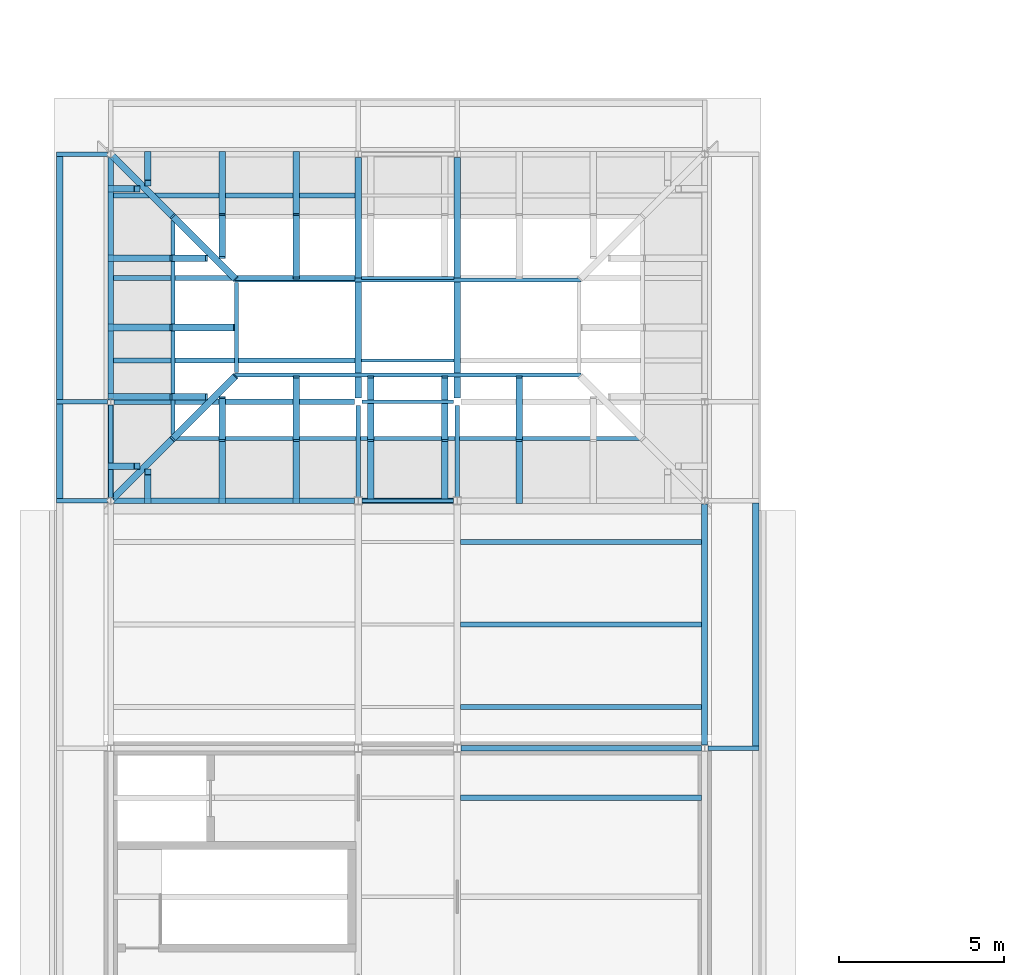
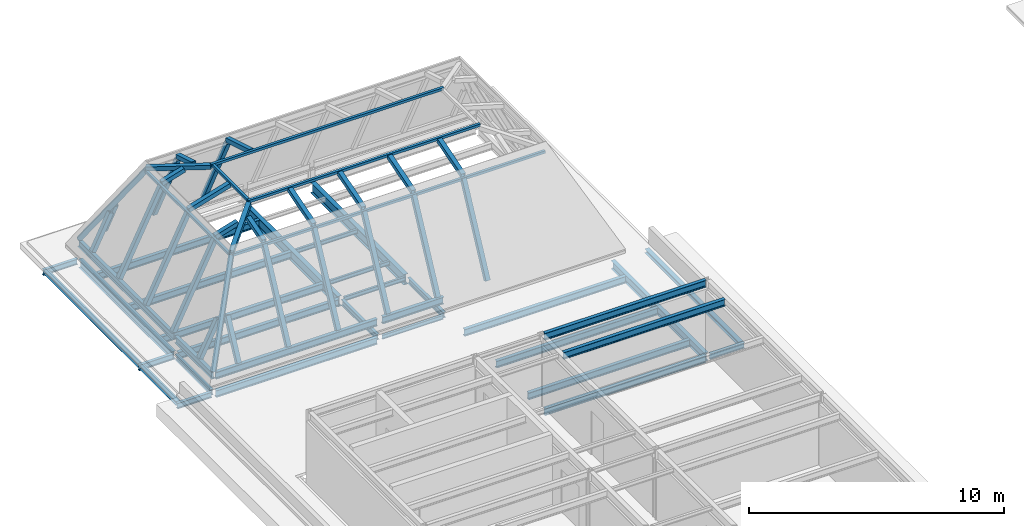
# One storey, part 8 of 29: 33 beams, 33 members.
"""IFC4 building model written with IfcOpenShell, lengths in metres."""

from ifc_helpers import new_model, si_unit, direction, frame, origin, origin_2d, place, context, subcontext, project, spatial, hollow_rectangle, i_section, extrude, material, material_profile, profile_set, type_object, element, save


model = new_model("IFC4")

# Units and contexts
model_context = context("Model", 3, precision=1e-05, world=origin(), true_north=direction((0.0, 1.0)))
body_context = subcontext(model_context, "Body", "Model", "MODEL_VIEW")
ifc_project = project(units=[si_unit("LENGTHUNIT", "METRE"), si_unit("AREAUNIT", "SQUARE_METRE"), si_unit("VOLUMEUNIT", "CUBIC_METRE"), si_unit("PLANEANGLEUNIT", "RADIAN"), si_unit("MASSUNIT", "GRAM", prefix="KILO")], contexts=[model_context])

# Site, building, storey
site_placement = place(None, origin())
site = spatial("IfcSite", under=ifc_project, at=site_placement, CompositionType="ELEMENT")
building_placement = place(site_placement, origin())
building = spatial("IfcBuilding", under=site, at=building_placement, Name="Golden Quay Civic Hall", CompositionType="ELEMENT")
storey_placement = place(building_placement, frame((0.0, 0.0, 27.0)))
storey = spatial("IfcBuildingStorey", under=building, at=storey_placement, Name="L06", CompositionType="ELEMENT", Elevation=27.0)

# Beams
ifc_material_1 = material(Name="Steel S355", Category="steel")
ifc_material_profile_1 = material_profile(ifc_material_1, i_section(OverallWidth=0.199951171875, OverallDepth=0.18994140625, WebThickness=0.006591796875, FlangeThickness=0.010009765625, FilletRadius=0.01806640625, at=origin_2d()), Name="HEA 200")
ifc_profile_set_1 = profile_set([ifc_material_profile_1], Name="Steel S355")
beam_type_1 = type_object("IfcBeamType", Name="Eave edge beam HEA 200", PredefinedType="BEAM", material=ifc_profile_set_1)
beam_1_placement = place(storey_placement, frame((-1.550048828125, 70.5673828125, -0.344970703125), z_axis=(0.0, 1.0, 0.0), x_axis=(-1.0, 0.0, 0.0)))
element("IfcBeam", 1, at=beam_1_placement, inside=storey, type_object=beam_type_1, Name="Eave edge beam HEA 200 L06 10", PredefinedType="BEAM", context=body_context, shape_type="SweptSolid", body=[
    extrude(i_section(OverallWidth=0.199951171875, OverallDepth=0.18994140625, WebThickness=0.006591796875, FlangeThickness=0.010009765625, FilletRadius=0.01806640625, at=origin_2d()), origin(), (0.0, 0.0, 1.0), 2.865234375),
])
for number, where, z_axis, x_axis, name in (
    (2, (-1.550048828125, 73.5673828125, -0.344970703125), (0.0, 1.0, 0.0), (-1.0, 0.0, 0.0), "Eave edge beam HEA 200 L06 11"),
    (3, (19.550048828125, 63.0673828125, -0.344970703125), (0.0, 1.0, 0.0), (-1.0, 0.0, 0.0), "Eave edge beam HEA 200 L06 23"),
):
    element("IfcBeam", number, at=place(storey_placement, frame(where, z_axis=z_axis, x_axis=x_axis)), inside=storey, type_object=beam_type_1, Name=name, PredefinedType="BEAM", context=body_context, shape_type="SweptSolid", body=[
        extrude(i_section(OverallWidth=0.199951171875, OverallDepth=0.18994140625, WebThickness=0.006591796875, FlangeThickness=0.010009765625, FilletRadius=0.01806640625, at=origin_2d()), origin(), (0.0, 0.0, 1.0), 7.365234375),
    ])
ifc_material_2 = material(Name="Steel S355", Category="steel")
ifc_material_profile_2 = material_profile(ifc_material_2, i_section(OverallWidth=0.135009765625, OverallDepth=0.27001953125, WebThickness=0.006591796875, FlangeThickness=0.01025390625, FilletRadius=0.014892578125, at=origin_2d()), Name="IPE 270")
ifc_profile_set_2 = profile_set([ifc_material_profile_2], Name="Steel S355")
beam_type_2 = type_object("IfcBeamType", Name="Eave stub IPE 270", PredefinedType="BEAM", material=ifc_profile_set_2)
for number, where, z_axis, x_axis, name in (
    (4, (-0.10009765625, 70.5, -0.385009765625), (-1.0, 0.0, 0.0), (0.0, -1.0, 0.0), "Eave stub IPE 270 L06 10"),
    (5, (-0.10009765625, 73.5, -0.385009765625), (-1.0, 0.0, 0.0), (0.0, -1.0, 0.0), "Eave stub IPE 270 L06 11"),
    (6, (-0.10009765625, 81.0, -0.385009765625), (-1.0, 0.0, 0.0), (0.0, -1.0, 0.0), "Eave stub IPE 270 L06 12"),
    (7, (18.10009765625, 63.0, -0.385009765625), (1.0, 0.0, 0.0), (0.0, 1.0, 0.0), "Eave stub IPE 270 L06 25"),
):
    element("IfcBeam", number, at=place(storey_placement, frame(where, z_axis=z_axis, x_axis=x_axis)), inside=storey, type_object=beam_type_2, Name=name, PredefinedType="BEAM", context=body_context, shape_type="SweptSolid", body=[
        extrude(i_section(OverallWidth=0.135009765625, OverallDepth=0.27001953125, WebThickness=0.006591796875, FlangeThickness=0.01025390625, FilletRadius=0.014892578125, at=origin_2d()), origin(), (0.0, 0.0, 1.0), 1.5498046875),
    ])
ifc_material_3 = material(Name="Steel S355", Category="steel")
ifc_material_profile_3 = material_profile(ifc_material_3, i_section(OverallWidth=0.10009765625, OverallDepth=0.199951171875, WebThickness=0.005615234375, FlangeThickness=0.008544921875, FilletRadius=0.011962890625, at=origin_2d()), Name="IPE 200")
ifc_profile_set_3 = profile_set([ifc_material_profile_3], Name="Steel S355")
beam_type_3 = type_object("IfcBeamType", Name="Steel beam IPE 200", PredefinedType="BEAM", material=ifc_profile_set_3)
for number, where, z_axis, x_axis, name in (
    (8, (7.6201171875, 70.5, -0.35009765625), (1.0, 0.0, 0.0), (0.0, 1.0, 0.0), "Beam S70.5-7.5"),
    (9, (7.6201171875, 73.5, -0.35009765625), (1.0, 0.0, 0.0), (0.0, 1.0, 0.0), "Beam S73.5-7.5"),
):
    element("IfcBeam", number, at=place(storey_placement, frame(where, z_axis=z_axis, x_axis=x_axis)), inside=storey, type_object=beam_type_3, Name=name, PredefinedType="BEAM", context=body_context, shape_type="SweptSolid", body=[
        extrude(i_section(OverallWidth=0.10009765625, OverallDepth=0.199951171875, WebThickness=0.005615234375, FlangeThickness=0.008544921875, FilletRadius=0.011962890625, at=origin_2d()), origin(), (0.0, 0.0, 1.0), 2.759765625),
    ])
ifc_material_4 = material(Name="Steel S355", Category="steel")
ifc_material_profile_4 = material_profile(ifc_material_4, i_section(OverallWidth=0.135009765625, OverallDepth=0.27001953125, WebThickness=0.006591796875, FlangeThickness=0.01025390625, FilletRadius=0.014892578125, at=origin_2d()), Name="IPE 270")
ifc_profile_set_4 = profile_set([ifc_material_profile_4], Name="Steel S355")
beam_type_4 = type_object("IfcBeamType", Name="Steel beam IPE 270", PredefinedType="BEAM", material=ifc_profile_set_4)
beam_2_placement = place(storey_placement, frame((0.0, 70.594970703125, -0.385009765625), z_axis=(0.0, 1.0, 0.0), x_axis=(-1.0, 0.0, 0.0)))
element("IfcBeam", 10, at=beam_2_placement, inside=storey, type_object=beam_type_4, Name="Beam L0-70.5", PredefinedType="BEAM", context=body_context, shape_type="SweptSolid", body=[
    extrude(i_section(OverallWidth=0.135009765625, OverallDepth=0.27001953125, WebThickness=0.006591796875, FlangeThickness=0.01025390625, FilletRadius=0.014892578125, at=origin_2d()), origin(), (0.0, 0.0, 1.0), 2.81005859375),
])
for number, where, z_axis, x_axis, name in (
    (11, (7.5, 70.614990234375, -0.385009765625), (0.0, 1.0, 0.0), (-1.0, 0.0, 0.0), "Beam L7.5-70.5"),
    (12, (10.5, 70.614990234375, -0.385009765625), (0.0, 1.0, 0.0), (-1.0, 0.0, 0.0), "Beam L10.5-70.5"),
):
    element("IfcBeam", number, at=place(storey_placement, frame(where, z_axis=z_axis, x_axis=x_axis)), inside=storey, type_object=beam_type_4, Name=name, PredefinedType="BEAM", context=body_context, shape_type="SweptSolid", body=[
        extrude(i_section(OverallWidth=0.135009765625, OverallDepth=0.27001953125, WebThickness=0.006591796875, FlangeThickness=0.01025390625, FilletRadius=0.014892578125, at=origin_2d()), origin(), (0.0, 0.0, 1.0), 2.77001953125),
    ])
ifc_material_5 = material(Name="Steel S355", Category="steel")
ifc_material_profile_5 = material_profile(ifc_material_5, i_section(OverallWidth=0.159912109375, OverallDepth=0.330078125, WebThickness=0.007568359375, FlangeThickness=0.011474609375, FilletRadius=0.01806640625, at=origin_2d()), Name="IPE 330")
ifc_profile_set_5 = profile_set([ifc_material_profile_5], Name="Steel S355")
beam_type_5 = type_object("IfcBeamType", Name="Steel beam IPE 330", PredefinedType="BEAM", material=ifc_profile_set_5)
for number, where, z_axis, x_axis, name in (
    (13, (10.6201171875, 63.0, -0.4150390625), (1.0, 0.0, 0.0), (0.0, 1.0, 0.0), "Beam S63-10.5"),
    (14, (0.10009765625, 70.5, -0.4150390625), (1.0, 0.0, 0.0), (0.0, 1.0, 0.0), "Beam S70.5-0"),
    (15, (0.10009765625, 73.5, -0.4150390625), (1.0, 0.0, 0.0), (0.0, 1.0, 0.0), "Beam S73.5-0"),
    (16, (10.6201171875, 63.0, 3.18505859375), (1.0, 0.0, 0.0), (0.0, 1.0, 0.0), "Plant roof tie 63-10.5"),
):
    element("IfcBeam", number, at=place(storey_placement, frame(where, z_axis=z_axis, x_axis=x_axis)), inside=storey, type_object=beam_type_5, Name=name, PredefinedType="BEAM", context=body_context, shape_type="SweptSolid", body=[
        extrude(i_section(OverallWidth=0.159912109375, OverallDepth=0.330078125, WebThickness=0.007568359375, FlangeThickness=0.011474609375, FilletRadius=0.01806640625, at=origin_2d()), origin(), (0.0, 0.0, 1.0), 7.27978515625),
    ])
ifc_material_6 = material(Name="Steel S355", Category="steel")
ifc_material_profile_6 = material_profile(ifc_material_6, i_section(OverallWidth=0.179931640625, OverallDepth=0.39990234375, WebThickness=0.008544921875, FlangeThickness=0.013427734375, FilletRadius=0.02099609375, at=origin_2d()), Name="IPE 400")
ifc_profile_set_6 = profile_set([ifc_material_profile_6], Name="Steel S355")
beam_type_6 = type_object("IfcBeamType", Name="Steel beam IPE 400", PredefinedType="BEAM", material=ifc_profile_set_6)
for number, where, z_axis, x_axis, name in (
    (17, (0.0, 73.594970703125, -0.449951171875), (0.0, 1.0, 0.0), (-1.0, 0.0, 0.0), "Beam L0-73.5"),
    (18, (18.0, 63.094970703125, -0.449951171875), (0.0, 1.0, 0.0), (-1.0, 0.0, 0.0), "Beam L18-63"),
):
    element("IfcBeam", number, at=place(storey_placement, frame(where, z_axis=z_axis, x_axis=x_axis)), inside=storey, type_object=beam_type_6, Name=name, PredefinedType="BEAM", context=body_context, shape_type="SweptSolid", body=[
        extrude(i_section(OverallWidth=0.179931640625, OverallDepth=0.39990234375, WebThickness=0.008544921875, FlangeThickness=0.013427734375, FilletRadius=0.02099609375, at=origin_2d()), origin(), (0.0, 0.0, 1.0), 7.31005859375),
    ])
ifc_material_7 = material(Name="Steel S355", Category="steel")
ifc_material_profile_7 = material_profile(ifc_material_7, i_section(OverallWidth=0.199951171875, OverallDepth=0.5, WebThickness=0.01025390625, FlangeThickness=0.01611328125, FilletRadius=0.02099609375, at=origin_2d()), Name="IPE 500")
ifc_profile_set_7 = profile_set([ifc_material_profile_7], Name="Steel S355")
beam_type_7 = type_object("IfcBeamType", Name="Steel beam IPE 500", PredefinedType="BEAM", material=ifc_profile_set_7)
for number, where, z_axis, x_axis, name in (
    (19, (7.5, 73.614990234375, -0.5), (0.0, 1.0, 0.0), (-1.0, 0.0, 0.0), "Beam L7.5-73.5"),
    (20, (10.5, 73.614990234375, -0.5), (0.0, 1.0, 0.0), (-1.0, 0.0, 0.0), "Beam L10.5-73.5"),
):
    element("IfcBeam", number, at=place(storey_placement, frame(where, z_axis=z_axis, x_axis=x_axis)), inside=storey, type_object=beam_type_7, Name=name, PredefinedType="BEAM", context=body_context, shape_type="SweptSolid", body=[
        extrude(i_section(OverallWidth=0.199951171875, OverallDepth=0.5, WebThickness=0.01025390625, FlangeThickness=0.01611328125, FilletRadius=0.02099609375, at=origin_2d()), origin(), (0.0, 0.0, 1.0), 7.2900390625),
    ])

# Members
ifc_material_8 = material(Name="Steel S355", Category="steel")
ifc_material_profile_8 = material_profile(ifc_material_8, hollow_rectangle(XDim=0.199951171875, YDim=0.199951171875, WallThickness=0.010009765625, at=origin_2d()), Name="SHS 200x200x10")
ifc_profile_set_8 = profile_set([ifc_material_profile_8], Name="Steel S355")
member_type_1 = type_object("IfcMemberType", Name="Steel jack rafter SHS 200x200x10", PredefinedType="RAFTER", material=ifc_profile_set_8)
member_1_placement = place(storey_placement, frame((1.125, 70.5, 0.6748046875), z_axis=(0.0, 0.4472135955, 0.894427191), x_axis=(-1.0, 0.0, 0.0)))
element("IfcMember", 21, at=member_1_placement, inside=storey, type_object=member_type_1, Name="Jack rafter WO-N south 1", PredefinedType="RAFTER", context=body_context, shape_type="SweptSolid", body=[
    extrude(hollow_rectangle(XDim=0.199951171875, YDim=0.199951171875, WallThickness=0.010009765625, at=origin_2d()), origin(), (0.0, 0.0, 1.0), 1.95654296875),
])
member_2_placement = place(storey_placement, frame((3.375, 70.5, 0.6748046875), z_axis=(0.0, 0.447236789271, 0.894415593738), x_axis=(-1.0, 0.0, 0.0)))
element("IfcMember", 22, at=member_2_placement, inside=storey, type_object=member_type_1, Name="Jack rafter WO-N south 2", PredefinedType="RAFTER", context=body_context, shape_type="SweptSolid", body=[
    extrude(hollow_rectangle(XDim=0.199951171875, YDim=0.199951171875, WallThickness=0.010009765625, at=origin_2d()), origin(), (0.0, 0.0, 1.0), 4.21044921875),
])
member_3_placement = place(storey_placement, frame((3.375, 72.383056640625, 4.559814453125), z_axis=(0.0, 0.957779634475, 0.287503342214), x_axis=(-1.0, 0.0, 0.0)))
element("IfcMember", 23, at=member_3_placement, inside=storey, type_object=member_type_1, Name="Jack rafter WO-N south 2 upper", PredefinedType="RAFTER", context=body_context, shape_type="SweptSolid", body=[
    extrude(hollow_rectangle(XDim=0.199951171875, YDim=0.199951171875, WallThickness=0.010009765625, at=origin_2d()), origin(), (0.0, 0.0, 1.0), 1.296630859375),
])
member_4_placement = place(storey_placement, frame((5.625, 70.5, 0.6748046875), z_axis=(0.0, 0.447236789271, 0.894415593738), x_axis=(-1.0, 0.0, 0.0)))
element("IfcMember", 24, at=member_4_placement, inside=storey, type_object=member_type_1, Name="Jack rafter WO-N south 3", PredefinedType="RAFTER", context=body_context, shape_type="SweptSolid", body=[
    extrude(hollow_rectangle(XDim=0.199951171875, YDim=0.199951171875, WallThickness=0.010009765625, at=origin_2d()), origin(), (0.0, 0.0, 1.0), 4.21044921875),
])
member_5_placement = place(storey_placement, frame((5.625, 72.383056640625, 4.559814453125), z_axis=(0.0, 0.957795254133, 0.287451302241), x_axis=(-1.0, 0.0, 0.0)))
element("IfcMember", 25, at=member_5_placement, inside=storey, type_object=member_type_1, Name="Jack rafter WO-N south 3 upper", PredefinedType="RAFTER", context=body_context, shape_type="SweptSolid", body=[
    extrude(hollow_rectangle(XDim=0.199951171875, YDim=0.199951171875, WallThickness=0.010009765625, at=origin_2d()), origin(), (0.0, 0.0, 1.0), 1.94921875),
])
member_6_placement = place(storey_placement, frame((7.875, 70.5, 0.6748046875), z_axis=(0.0, 0.447236789271, 0.894415593738), x_axis=(-1.0, 0.0, 0.0)))
element("IfcMember", 26, at=member_6_placement, inside=storey, type_object=member_type_1, Name="Jack rafter WO-N south 4", PredefinedType="RAFTER", context=body_context, shape_type="SweptSolid", body=[
    extrude(hollow_rectangle(XDim=0.199951171875, YDim=0.199951171875, WallThickness=0.010009765625, at=origin_2d()), origin(), (0.0, 0.0, 1.0), 4.21044921875),
])
member_7_placement = place(storey_placement, frame((7.875, 72.383056640625, 4.559814453125), z_axis=(0.0, 0.957795254133, 0.287451302241), x_axis=(-1.0, 0.0, 0.0)))
element("IfcMember", 27, at=member_7_placement, inside=storey, type_object=member_type_1, Name="Jack rafter WO-N south 4 upper", PredefinedType="RAFTER", context=body_context, shape_type="SweptSolid", body=[
    extrude(hollow_rectangle(XDim=0.199951171875, YDim=0.199951171875, WallThickness=0.010009765625, at=origin_2d()), origin(), (0.0, 0.0, 1.0), 1.94921875),
])
member_8_placement = place(storey_placement, frame((10.125, 70.5, 0.6748046875), z_axis=(0.0, 0.447236789271, 0.894415593738), x_axis=(-1.0, 0.0, 0.0)))
element("IfcMember", 28, at=member_8_placement, inside=storey, type_object=member_type_1, Name="Jack rafter WO-N south 5", PredefinedType="RAFTER", context=body_context, shape_type="SweptSolid", body=[
    extrude(hollow_rectangle(XDim=0.199951171875, YDim=0.199951171875, WallThickness=0.010009765625, at=origin_2d()), origin(), (0.0, 0.0, 1.0), 4.21044921875),
])
member_9_placement = place(storey_placement, frame((10.125, 72.383056640625, 4.559814453125), z_axis=(0.0, 0.957795254133, 0.287451302241), x_axis=(-1.0, 0.0, 0.0)))
element("IfcMember", 29, at=member_9_placement, inside=storey, type_object=member_type_1, Name="Jack rafter WO-N south 5 upper", PredefinedType="RAFTER", context=body_context, shape_type="SweptSolid", body=[
    extrude(hollow_rectangle(XDim=0.199951171875, YDim=0.199951171875, WallThickness=0.010009765625, at=origin_2d()), origin(), (0.0, 0.0, 1.0), 1.94921875),
])
member_10_placement = place(storey_placement, frame((12.375, 70.5, 0.6748046875), z_axis=(0.0, 0.447236789271, 0.894415593738), x_axis=(-1.0, 0.0, 0.0)))
element("IfcMember", 30, at=member_10_placement, inside=storey, type_object=member_type_1, Name="Jack rafter WO-N south 6", PredefinedType="RAFTER", context=body_context, shape_type="SweptSolid", body=[
    extrude(hollow_rectangle(XDim=0.199951171875, YDim=0.199951171875, WallThickness=0.010009765625, at=origin_2d()), origin(), (0.0, 0.0, 1.0), 4.21044921875),
])
member_11_placement = place(storey_placement, frame((12.375, 72.383056640625, 4.559814453125), z_axis=(0.0, 0.957795254133, 0.287451302241), x_axis=(-1.0, 0.0, 0.0)))
element("IfcMember", 31, at=member_11_placement, inside=storey, type_object=member_type_1, Name="Jack rafter WO-N south 6 upper", PredefinedType="RAFTER", context=body_context, shape_type="SweptSolid", body=[
    extrude(hollow_rectangle(XDim=0.199951171875, YDim=0.199951171875, WallThickness=0.010009765625, at=origin_2d()), origin(), (0.0, 0.0, 1.0), 1.94921875),
])
member_12_placement = place(storey_placement, frame((1.125, 81.0, 0.6748046875), z_axis=(0.0, -0.4472135955, 0.894427191), x_axis=(1.0, 0.0, 0.0)))
element("IfcMember", 32, at=member_12_placement, inside=storey, type_object=member_type_1, Name="Jack rafter WO-N north 1", PredefinedType="RAFTER", context=body_context, shape_type="SweptSolid", body=[
    extrude(hollow_rectangle(XDim=0.199951171875, YDim=0.199951171875, WallThickness=0.010009765625, at=origin_2d()), origin(), (0.0, 0.0, 1.0), 1.95654296875),
])
member_13_placement = place(storey_placement, frame((3.375, 81.0, 0.6748046875), z_axis=(0.0, -0.447236789271, 0.894415593738), x_axis=(1.0, 0.0, 0.0)))
element("IfcMember", 33, at=member_13_placement, inside=storey, type_object=member_type_1, Name="Jack rafter WO-N north 2", PredefinedType="RAFTER", context=body_context, shape_type="SweptSolid", body=[
    extrude(hollow_rectangle(XDim=0.199951171875, YDim=0.199951171875, WallThickness=0.010009765625, at=origin_2d()), origin(), (0.0, 0.0, 1.0), 4.21044921875),
])
member_14_placement = place(storey_placement, frame((3.375, 79.116943359375, 4.559814453125), z_axis=(0.0, -0.957779634475, 0.287503342214), x_axis=(1.0, 0.0, 0.0)))
element("IfcMember", 34, at=member_14_placement, inside=storey, type_object=member_type_1, Name="Jack rafter WO-N north 2 upper", PredefinedType="RAFTER", context=body_context, shape_type="SweptSolid", body=[
    extrude(hollow_rectangle(XDim=0.199951171875, YDim=0.199951171875, WallThickness=0.010009765625, at=origin_2d()), origin(), (0.0, 0.0, 1.0), 1.296630859375),
])
member_15_placement = place(storey_placement, frame((5.625, 81.0, 0.6748046875), z_axis=(0.0, -0.447236789271, 0.894415593738), x_axis=(1.0, 0.0, 0.0)))
element("IfcMember", 35, at=member_15_placement, inside=storey, type_object=member_type_1, Name="Jack rafter WO-N north 3", PredefinedType="RAFTER", context=body_context, shape_type="SweptSolid", body=[
    extrude(hollow_rectangle(XDim=0.199951171875, YDim=0.199951171875, WallThickness=0.010009765625, at=origin_2d()), origin(), (0.0, 0.0, 1.0), 4.21044921875),
])
member_16_placement = place(storey_placement, frame((5.625, 79.116943359375, 4.559814453125), z_axis=(0.0, -0.957795254133, 0.287451302241), x_axis=(1.0, 0.0, 0.0)))
element("IfcMember", 36, at=member_16_placement, inside=storey, type_object=member_type_1, Name="Jack rafter WO-N north 3 upper", PredefinedType="RAFTER", context=body_context, shape_type="SweptSolid", body=[
    extrude(hollow_rectangle(XDim=0.199951171875, YDim=0.199951171875, WallThickness=0.010009765625, at=origin_2d()), origin(), (0.0, 0.0, 1.0), 1.94921875),
])
member_17_placement = place(storey_placement, frame((0.0, 71.550048828125, 0.6748046875), z_axis=(0.447268189502, 0.0, 0.894399891916), x_axis=(0.0, 1.0, 0.0)))
element("IfcMember", 37, at=member_17_placement, inside=storey, type_object=member_type_1, Name="Jack rafter WO-N west 1", PredefinedType="RAFTER", context=body_context, shape_type="SweptSolid", body=[
    extrude(hollow_rectangle(XDim=0.199951171875, YDim=0.199951171875, WallThickness=0.010009765625, at=origin_2d()), origin(), (0.0, 0.0, 1.0), 1.788818359375),
])
member_18_placement = place(storey_placement, frame((0.0, 73.64990234375, 0.6748046875), z_axis=(0.447236789271, 0.0, 0.894415593738), x_axis=(0.0, 1.0, 0.0)))
element("IfcMember", 38, at=member_18_placement, inside=storey, type_object=member_type_1, Name="Jack rafter WO-N west 2", PredefinedType="RAFTER", context=body_context, shape_type="SweptSolid", body=[
    extrude(hollow_rectangle(XDim=0.199951171875, YDim=0.199951171875, WallThickness=0.010009765625, at=origin_2d()), origin(), (0.0, 0.0, 1.0), 4.21044921875),
])
member_19_placement = place(storey_placement, frame((1.883056640625, 73.64990234375, 4.559814453125), z_axis=(0.95779463317, 0.0, 0.287453371299), x_axis=(0.0, 1.0, 0.0)))
element("IfcMember", 39, at=member_19_placement, inside=storey, type_object=member_type_1, Name="Jack rafter WO-N west 2 upper", PredefinedType="RAFTER", context=body_context, shape_type="SweptSolid", body=[
    extrude(hollow_rectangle(XDim=0.199951171875, YDim=0.199951171875, WallThickness=0.010009765625, at=origin_2d()), origin(), (0.0, 0.0, 1.0), 1.061767578125),
])
member_20_placement = place(storey_placement, frame((0.0, 75.75, 0.6748046875), z_axis=(0.447236789271, 0.0, 0.894415593738), x_axis=(0.0, 1.0, 0.0)))
element("IfcMember", 40, at=member_20_placement, inside=storey, type_object=member_type_1, Name="Jack rafter WO-N west 3", PredefinedType="RAFTER", context=body_context, shape_type="SweptSolid", body=[
    extrude(hollow_rectangle(XDim=0.199951171875, YDim=0.199951171875, WallThickness=0.010009765625, at=origin_2d()), origin(), (0.0, 0.0, 1.0), 4.21044921875),
])
member_21_placement = place(storey_placement, frame((1.883056640625, 75.75, 4.559814453125), z_axis=(0.957795254133, 0.0, 0.287451302241), x_axis=(0.0, 1.0, 0.0)))
element("IfcMember", 41, at=member_21_placement, inside=storey, type_object=member_type_1, Name="Jack rafter WO-N west 3 upper", PredefinedType="RAFTER", context=body_context, shape_type="SweptSolid", body=[
    extrude(hollow_rectangle(XDim=0.199951171875, YDim=0.199951171875, WallThickness=0.010009765625, at=origin_2d()), origin(), (0.0, 0.0, 1.0), 1.94921875),
])
member_22_placement = place(storey_placement, frame((0.0, 77.85009765625, 0.6748046875), z_axis=(0.447236789271, 0.0, 0.894415593738), x_axis=(0.0, 1.0, 0.0)))
element("IfcMember", 42, at=member_22_placement, inside=storey, type_object=member_type_1, Name="Jack rafter WO-N west 4", PredefinedType="RAFTER", context=body_context, shape_type="SweptSolid", body=[
    extrude(hollow_rectangle(XDim=0.199951171875, YDim=0.199951171875, WallThickness=0.010009765625, at=origin_2d()), origin(), (0.0, 0.0, 1.0), 4.21044921875),
])
member_23_placement = place(storey_placement, frame((1.883056640625, 77.85009765625, 4.559814453125), z_axis=(0.95779463317, 0.0, 0.287453371299), x_axis=(0.0, 1.0, 0.0)))
element("IfcMember", 43, at=member_23_placement, inside=storey, type_object=member_type_1, Name="Jack rafter WO-N west 4 upper", PredefinedType="RAFTER", context=body_context, shape_type="SweptSolid", body=[
    extrude(hollow_rectangle(XDim=0.199951171875, YDim=0.199951171875, WallThickness=0.010009765625, at=origin_2d()), origin(), (0.0, 0.0, 1.0), 1.061767578125),
])
member_24_placement = place(storey_placement, frame((0.0, 79.949951171875, 0.6748046875), z_axis=(0.447268189502, 0.0, 0.894399891916), x_axis=(0.0, 1.0, 0.0)))
element("IfcMember", 44, at=member_24_placement, inside=storey, type_object=member_type_1, Name="Jack rafter WO-N west 5", PredefinedType="RAFTER", context=body_context, shape_type="SweptSolid", body=[
    extrude(hollow_rectangle(XDim=0.199951171875, YDim=0.199951171875, WallThickness=0.010009765625, at=origin_2d()), origin(), (0.0, 0.0, 1.0), 1.788818359375),
])

# Beams
ifc_material_9 = material(Name="Steel S355", Category="steel")
ifc_material_profile_9 = material_profile(ifc_material_9, i_section(OverallWidth=0.10009765625, OverallDepth=0.199951171875, WebThickness=0.005615234375, FlangeThickness=0.008544921875, FilletRadius=0.011962890625, at=origin_2d()), Name="IPE 200")
ifc_profile_set_9 = profile_set([ifc_material_profile_9], Name="Steel S355")
beam_type_8 = type_object("IfcBeamType", Name="Steel joist IPE 200", PredefinedType="JOIST", material=ifc_profile_set_9)
for number, where, z_axis, x_axis, name in (
    (45, (7.60009765625, 74.75, -0.35009765625), (1.0, 0.0, 0.0), (0.0, 1.0, 0.0), "Joist J74.75-7.5"),
    (46, (7.60009765625, 77.25, -0.35009765625), (1.0, 0.0, 0.0), (0.0, 1.0, 0.0), "Joist J77.25-7.5"),
):
    element("IfcBeam", number, at=place(storey_placement, frame(where, z_axis=z_axis, x_axis=x_axis)), inside=storey, type_object=beam_type_8, Name=name, PredefinedType="JOIST", context=body_context, shape_type="SweptSolid", body=[
        extrude(i_section(OverallWidth=0.10009765625, OverallDepth=0.199951171875, WebThickness=0.005615234375, FlangeThickness=0.008544921875, FilletRadius=0.011962890625, at=origin_2d()), origin(), (0.0, 0.0, 1.0), 2.7998046875),
    ])
ifc_material_10 = material(Name="Steel S355", Category="steel")
ifc_material_profile_10 = material_profile(ifc_material_10, i_section(OverallWidth=0.159912109375, OverallDepth=0.330078125, WebThickness=0.007568359375, FlangeThickness=0.011474609375, FilletRadius=0.01806640625, at=origin_2d()), Name="IPE 330")
ifc_profile_set_10 = profile_set([ifc_material_profile_10], Name="Steel S355")
beam_type_9 = type_object("IfcBeamType", Name="Steel joist IPE 330", PredefinedType="JOIST", material=ifc_profile_set_10)
for number, where, z_axis, x_axis, name in (
    (47, (10.60009765625, 64.25, -0.4150390625), (1.0, 0.0, 0.0), (0.0, 1.0, 0.0), "Joist J64.25-10.5"),
    (48, (10.60009765625, 66.75, -0.4150390625), (1.0, 0.0, 0.0), (0.0, 1.0, 0.0), "Joist J66.75-10.5"),
    (49, (10.60009765625, 69.25, -0.4150390625), (1.0, 0.0, 0.0), (0.0, 1.0, 0.0), "Joist J69.25-10.5"),
    (50, (0.090087890625, 74.75, -0.4150390625), (1.0, 0.0, 0.0), (0.0, 1.0, 0.0), "Joist J74.75-0"),
    (51, (0.090087890625, 77.25, -0.4150390625), (1.0, 0.0, 0.0), (0.0, 1.0, 0.0), "Joist J77.25-0"),
    (52, (0.090087890625, 79.75, -0.4150390625), (1.0, 0.0, 0.0), (0.0, 1.0, 0.0), "Joist J79.75-0"),
    (53, (10.60009765625, 61.5, 3.18505859375), (1.0, 0.0, 0.0), (0.0, 1.0, 0.0), "Plant roof joist 61.5-10.5"),
):
    element("IfcBeam", number, at=place(storey_placement, frame(where, z_axis=z_axis, x_axis=x_axis)), inside=storey, type_object=beam_type_9, Name=name, PredefinedType="JOIST", context=body_context, shape_type="SweptSolid", body=[
        extrude(i_section(OverallWidth=0.159912109375, OverallDepth=0.330078125, WebThickness=0.007568359375, FlangeThickness=0.011474609375, FilletRadius=0.01806640625, at=origin_2d()), origin(), (0.0, 0.0, 1.0), 7.309814453125),
    ])

# Members
ifc_material_11 = material(Name="Steel S355", Category="steel")
ifc_material_profile_11 = material_profile(ifc_material_11, hollow_rectangle(XDim=0.199951171875, YDim=0.199951171875, WallThickness=0.010009765625, at=origin_2d()), Name="SHS 200x200x10")
ifc_profile_set_11 = profile_set([ifc_material_profile_11], Name="Steel S355")
member_type_2 = type_object("IfcMemberType", Name="Steel pavilion hip rafter SHS 200x200x10", PredefinedType="RAFTER", material=ifc_profile_set_11)
member_25_placement = place(storey_placement, frame((0.0, 70.5, 0.642578125), z_axis=(0.412554058187, 0.412554058187, 0.812156572434), x_axis=(-0.707106781187, 0.707106781187, 0.0)))
element("IfcMember", 54, at=member_25_placement, inside=storey, type_object=member_type_2, Name="Hip rafter WO-N south-west lower", PredefinedType="RAFTER", context=body_context, shape_type="SweptSolid", body=[
    extrude(hollow_rectangle(XDim=0.199951171875, YDim=0.199951171875, WallThickness=0.010009765625, at=origin_2d()), origin(), (0.0, 0.0, 1.0), 4.63720703125),
])
member_26_placement = place(storey_placement, frame((1.9130859375, 72.4130859375, 4.51708984375), z_axis=(0.691715762248, 0.691715762248, 0.207505683091), x_axis=(-0.707106781187, 0.707106781187, 0.0)))
element("IfcMember", 55, at=member_26_placement, inside=storey, type_object=member_type_2, Name="Hip rafter WO-N south-west upper", PredefinedType="RAFTER", context=body_context, shape_type="SweptSolid", body=[
    extrude(hollow_rectangle(XDim=0.199951171875, YDim=0.199951171875, WallThickness=0.010009765625, at=origin_2d()), origin(), (0.0, 0.0, 1.0), 2.698974609375),
])
member_27_placement = place(storey_placement, frame((0.0, 81.0, 0.642578125), z_axis=(0.412554058187, -0.412554058187, 0.812156572434), x_axis=(0.707106781187, 0.707106781187, 0.0)))
element("IfcMember", 56, at=member_27_placement, inside=storey, type_object=member_type_2, Name="Hip rafter WO-N north-west lower", PredefinedType="RAFTER", context=body_context, shape_type="SweptSolid", body=[
    extrude(hollow_rectangle(XDim=0.199951171875, YDim=0.199951171875, WallThickness=0.010009765625, at=origin_2d()), origin(), (0.0, 0.0, 1.0), 4.63720703125),
])
member_28_placement = place(storey_placement, frame((1.9130859375, 79.0869140625, 4.51708984375), z_axis=(0.691715762248, -0.691715762248, 0.207505683091), x_axis=(0.707106781187, 0.707106781187, 0.0)))
element("IfcMember", 57, at=member_28_placement, inside=storey, type_object=member_type_2, Name="Hip rafter WO-N north-west upper", PredefinedType="RAFTER", context=body_context, shape_type="SweptSolid", body=[
    extrude(hollow_rectangle(XDim=0.199951171875, YDim=0.199951171875, WallThickness=0.010009765625, at=origin_2d()), origin(), (0.0, 0.0, 1.0), 2.698974609375),
])
ifc_material_12 = material(Name="Steel S355", Category="steel")
ifc_material_profile_12 = material_profile(ifc_material_12, hollow_rectangle(XDim=0.1201171875, YDim=0.1201171875, WallThickness=0.008056640625, at=origin_2d()), Name="SHS 120x120x8")
ifc_profile_set_12 = profile_set([ifc_material_profile_12], Name="Steel S355")
member_type_3 = type_object("IfcMemberType", Name="Steel roof purlin SHS 120x120x8", PredefinedType="PURLIN", material=ifc_profile_set_12)
for number, where, z_axis, x_axis, name in (
    (58, (3.75, 74.31494140625, 5.164306640625), (1.0, 0.0, 0.0), (0.0, 1.0, 0.0), "Cap purlin WO-N south"),
    (59, (3.75, 77.18505859375, 5.164306640625), (1.0, 0.0, 0.0), (0.0, 1.0, 0.0), "Cap purlin WO-N north"),
):
    element("IfcMember", number, at=place(storey_placement, frame(where, z_axis=z_axis, x_axis=x_axis)), inside=storey, type_object=member_type_3, Name=name, PredefinedType="PURLIN", context=body_context, shape_type="SweptSolid", body=[
        extrude(hollow_rectangle(XDim=0.1201171875, YDim=0.1201171875, WallThickness=0.008056640625, at=origin_2d()), origin(), (0.0, 0.0, 1.0), 10.5),
    ])
member_29_placement = place(storey_placement, frame((3.81494140625, 74.3798828125, 5.164306640625), z_axis=(0.0, 1.0, 0.0), x_axis=(-1.0, 0.0, 0.0)))
element("IfcMember", 60, at=member_29_placement, inside=storey, type_object=member_type_3, Name="Cap purlin WO-N west", PredefinedType="PURLIN", context=body_context, shape_type="SweptSolid", body=[
    extrude(hollow_rectangle(XDim=0.1201171875, YDim=0.1201171875, WallThickness=0.008056640625, at=origin_2d()), origin(), (0.0, 0.0, 1.0), 2.740234375),
])
member_30_placement = place(storey_placement, frame((1.943115234375, 72.383056640625, 4.416015625), z_axis=(1.0, 0.0, 0.0), x_axis=(0.0, 1.0, 0.0)))
element("IfcMember", 61, at=member_30_placement, inside=storey, type_object=member_type_3, Name="Break purlin WO-N south", PredefinedType="PURLIN", context=body_context, shape_type="SweptSolid", body=[
    extrude(hollow_rectangle(XDim=0.1201171875, YDim=0.1201171875, WallThickness=0.008056640625, at=origin_2d()), origin(), (0.0, 0.0, 1.0), 14.11376953125),
])
member_31_placement = place(storey_placement, frame((1.883056640625, 72.5029296875, 4.416015625), z_axis=(0.0, 1.0, 0.0), x_axis=(-1.0, 0.0, 0.0)))
element("IfcMember", 62, at=member_31_placement, inside=storey, type_object=member_type_3, Name="Break purlin WO-N west", PredefinedType="PURLIN", context=body_context, shape_type="SweptSolid", body=[
    extrude(hollow_rectangle(XDim=0.1201171875, YDim=0.1201171875, WallThickness=0.008056640625, at=origin_2d()), origin(), (0.0, 0.0, 1.0), 6.494140625),
])

# Beams
ifc_material_13 = material(Name="Steel S355", Category="steel")
ifc_material_profile_13 = material_profile(ifc_material_13, i_section(OverallWidth=0.159912109375, OverallDepth=0.330078125, WebThickness=0.007568359375, FlangeThickness=0.011474609375, FilletRadius=0.01806640625, at=origin_2d()), Name="IPE 330")
ifc_profile_set_13 = profile_set([ifc_material_profile_13], Name="Steel S355")
beam_type_10 = type_object("IfcBeamType", Name="Steel wall plate beam IPE 330", PredefinedType="BEAM", material=ifc_profile_set_13)
beam_3_placement = place(storey_placement, frame((0.080078125, 70.5, 0.465087890625), z_axis=(1.0, 0.0, 0.0), x_axis=(0.0, 1.0, 0.0)))
element("IfcBeam", 63, at=beam_3_placement, inside=storey, type_object=beam_type_10, Name="Wall plate beam WO-N S1", PredefinedType="BEAM", context=body_context, shape_type="SweptSolid", body=[
    extrude(i_section(OverallWidth=0.159912109375, OverallDepth=0.330078125, WebThickness=0.007568359375, FlangeThickness=0.011474609375, FilletRadius=0.01806640625, at=origin_2d()), origin(), (0.0, 0.0, 1.0), 7.2998046875),
])
beam_4_placement = place(storey_placement, frame((7.6201171875, 70.5, 0.465087890625), z_axis=(1.0, 0.0, 0.0), x_axis=(0.0, 1.0, 0.0)))
element("IfcBeam", 64, at=beam_4_placement, inside=storey, type_object=beam_type_10, Name="Wall plate beam WO-N S2", PredefinedType="BEAM", context=body_context, shape_type="SweptSolid", body=[
    extrude(i_section(OverallWidth=0.159912109375, OverallDepth=0.330078125, WebThickness=0.007568359375, FlangeThickness=0.011474609375, FilletRadius=0.01806640625, at=origin_2d()), origin(), (0.0, 0.0, 1.0), 2.759765625),
])
beam_5_placement = place(storey_placement, frame((0.0, 70.5, 0.465087890625), z_axis=(0.0, 1.0, 0.0), x_axis=(-1.0, 0.0, 0.0)))
element("IfcBeam", 65, at=beam_5_placement, inside=storey, type_object=beam_type_10, Name="Wall plate beam WO-N W1", PredefinedType="BEAM", context=body_context, shape_type="SweptSolid", body=[
    extrude(i_section(OverallWidth=0.159912109375, OverallDepth=0.330078125, WebThickness=0.007568359375, FlangeThickness=0.011474609375, FilletRadius=0.01806640625, at=origin_2d()), origin(), (0.0, 0.0, 1.0), 2.905029296875),
])
beam_6_placement = place(storey_placement, frame((0.0, 73.594970703125, 0.465087890625), z_axis=(0.0, 1.0, 0.0), x_axis=(-1.0, 0.0, 0.0)))
element("IfcBeam", 66, at=beam_6_placement, inside=storey, type_object=beam_type_10, Name="Wall plate beam WO-N W2", PredefinedType="BEAM", context=body_context, shape_type="SweptSolid", body=[
    extrude(i_section(OverallWidth=0.159912109375, OverallDepth=0.330078125, WebThickness=0.007568359375, FlangeThickness=0.011474609375, FilletRadius=0.01806640625, at=origin_2d()), origin(), (0.0, 0.0, 1.0), 7.405029296875),
])

save(model, "model.ifc")
